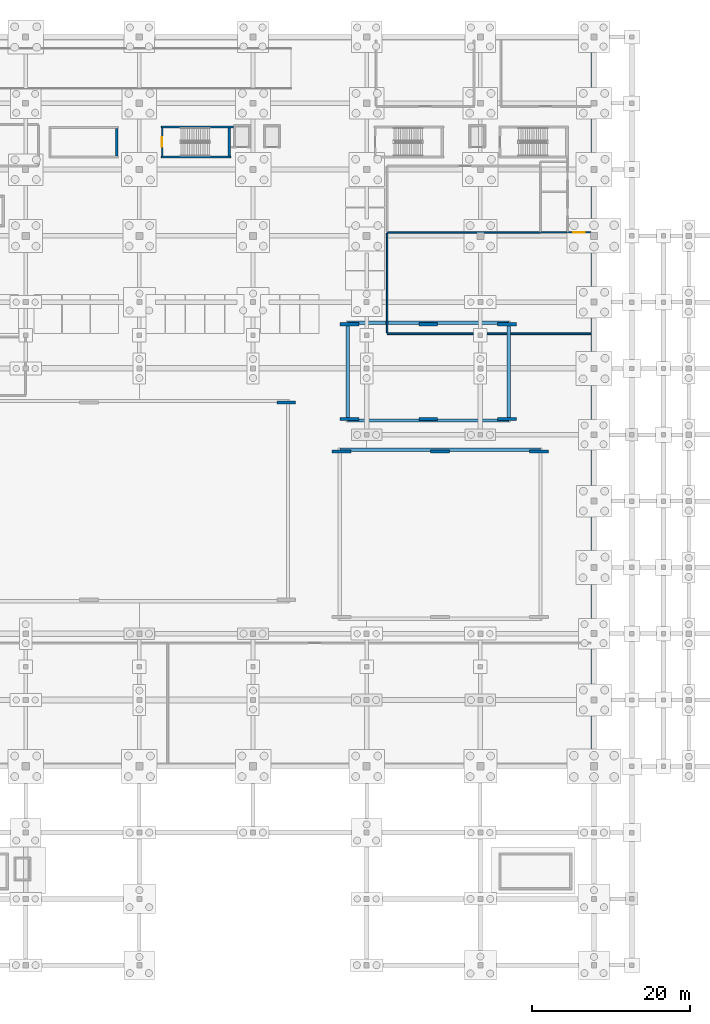
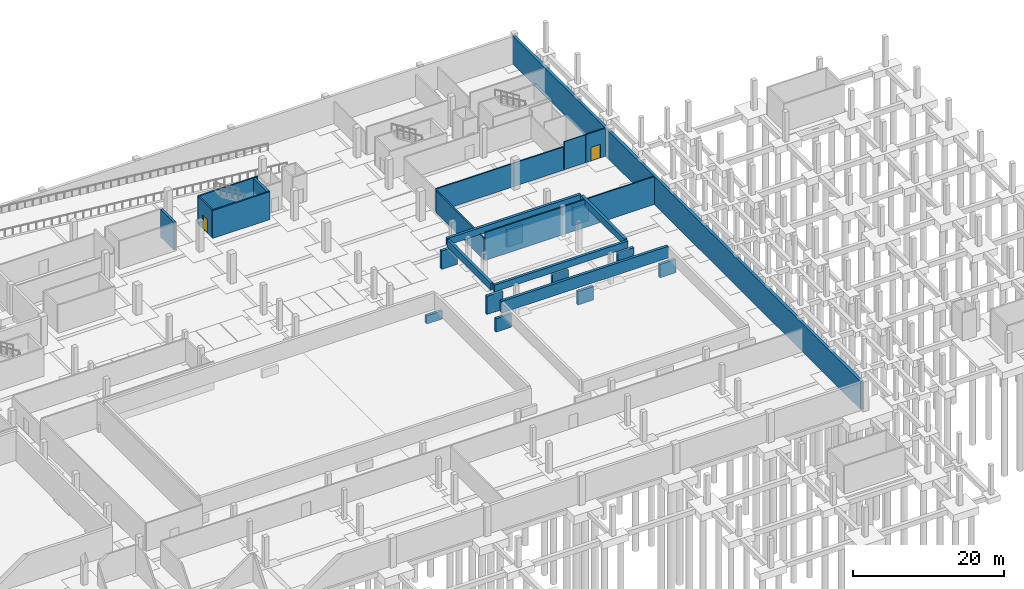
# One storey, part 16 of 26: 26 walls, 2 doors, 2 openings.
"""IFC4 building model written with IfcOpenShell, lengths in metres."""

from ifc_helpers import new_model, si_unit, direction, frame, frame_2d, origin, place, context, subcontext, project, spatial, rectangle, extrude, material, layer, layer_set, type_object, element, fill, save


model = new_model("IFC4")

# Units and contexts
model_context = context("Model", 3, precision=1e-05, world=origin(), true_north=direction((0.0, 1.0)))
body_context = subcontext(model_context, "Body", "Model", "MODEL_VIEW")
ifc_project = project(units=[si_unit("LENGTHUNIT", "METRE"), si_unit("AREAUNIT", "SQUARE_METRE"), si_unit("VOLUMEUNIT", "CUBIC_METRE"), si_unit("PLANEANGLEUNIT", "RADIAN"), si_unit("MASSUNIT", "GRAM", prefix="KILO"), si_unit("THERMODYNAMICTEMPERATUREUNIT", "KELVIN")], contexts=[model_context])

# Site, building, storey
site_placement = place(None, origin())
site = spatial("IfcSite", under=ifc_project, at=site_placement, CompositionType="ELEMENT")
building_placement = place(site_placement, origin())
building = spatial("IfcBuilding", under=site, at=building_placement, Name="Nduvali Passage Aquatics Centre", CompositionType="ELEMENT")
storey_placement = place(building_placement, frame((0.0, 0.0, -4.800048828125)))
storey = spatial("IfcBuildingStorey", under=building, at=storey_placement, Name="B01", CompositionType="ELEMENT", Elevation=-4.800048828125)

# Wall
ifc_material_1 = material(Name="Coral-stone masonry blockwork", Category="masonry")
ifc_layer_1 = layer(ifc_material_1, 0.199951171875, Name="Coral-stone masonry blockwork")
ifc_layer_set_1 = layer_set([ifc_layer_1], Name="Coral-stone masonry blockwork")
wall_type_1 = type_object("IfcWallType", Name="INT-WAL-COMP200", PredefinedType="PARTITIONING", material=ifc_layer_set_1)
wall_1_placement = place(storey_placement, frame((99.800048828125, 92.85009765625, 0.0), z_axis=(0.0, 0.0, 1.0), x_axis=(1.0, 0.0, 0.0)))
element("IfcWall", 1, at=wall_1_placement, inside=storey, type_object=wall_type_1, Name="B01 Standby Diesel Generator Room Partition 0010", PredefinedType="PARTITIONING", context=body_context, shape_type="SweptSolid", body=[
    extrude(rectangle(XDim=19.39990234375, YDim=0.199951171875, at=frame_2d((9.699951171875, 0.0))), origin(), (0.0, 0.0, 1.0), 3.75),
])

# Wall, opening, door
wall_2_placement = place(storey_placement, frame((122.574951171875, 92.85009765625, 0.0), z_axis=(0.0, 0.0, 1.0), x_axis=(1.0, 0.0, 0.0)))
wall_2 = element("IfcWall", 2, at=wall_2_placement, inside=storey, type_object=wall_type_1, Name="B01 Monsoon Rainwater Harvesting Cistern and Pump Room Partition 0028", PredefinedType="PARTITIONING", context=body_context, shape_type="SweptSolid", body=[
    extrude(rectangle(XDim=3.01513671875, YDim=0.199951171875, at=frame_2d((1.507568359375, 0.0))), origin(), (0.0, 0.0, 1.0), 4.5),
])
opening_1_placement = place(wall_2_placement, frame((0.824951171875, 0.0, 0.0)))
opening_1 = element("IfcOpeningElement", 3, at=opening_1_placement, cuts=wall_2, Name="Opening FD-P1", PredefinedType="OPENING", context=body_context, shape_type="SweptSolid", body=[
    extrude(rectangle(XDim=1.39990234375, YDim=2.199951171875, at=frame_2d((0.699951171875, 1.10009765625))), frame((0.0, 0.11474609375, 0.0), z_axis=(0.0, -1.0, 0.0), x_axis=(1.0, 0.0, 0.0)), (0.0, 0.0, 1.0), 0.229736328125),
])
ifc_material_2 = material(Name="Galvanised steel door", Category="steel")
door_type_1 = type_object("IfcDoorType", Name="INT-DR-PLNT140", OperationType="DOUBLE_DOOR_SINGLE_SWING", PredefinedType="DOOR", material=ifc_material_2)
door_1_placement = place(opening_1_placement, origin())
door_1 = element("IfcDoor", 4, at=door_1_placement, inside=storey, type_object=door_type_1, Name="B01 Monsoon Rainwater Harvesting Cistern and Pump Room Door 0010", OperationType="DOUBLE_DOOR_SINGLE_SWING", OverallHeight=2.199951171875, OverallWidth=1.39990234375, PredefinedType="DOOR", context=body_context, shape_type="SweptSolid", body=[
    extrude(rectangle(XDim=1.39990234375, YDim=2.199951171875, at=frame_2d((0.699951171875, 1.10009765625))), frame((0.0, 0.02490234375, 0.0), z_axis=(0.0, -1.0, 0.0), x_axis=(1.0, 0.0, 0.0)), (0.0, 0.0, 1.0), 0.050048828125),
])
fill(opening_1, door_1)

# Walls
wall_3_placement = place(storey_placement, frame((99.800048828125, 80.0, 0.0), z_axis=(0.0, 0.0, 1.0), x_axis=(1.0, 0.0, 0.0)))
element("IfcWall", 5, at=wall_3_placement, inside=storey, type_object=wall_type_1, Name="B01 Monsoon Rainwater Harvesting Cistern and Pump Room Partition 0029", PredefinedType="PARTITIONING", context=body_context, shape_type="SweptSolid", body=[
    extrude(rectangle(XDim=25.7900390625, YDim=0.199951171875, at=frame_2d((12.89501953125, 0.0))), origin(), (0.0, 0.0, 1.0), 4.5),
])
wall_4_placement = place(storey_placement, frame((99.800048828125, 80.10009765625, 0.0), z_axis=(0.0, 0.0, 1.0), x_axis=(0.0, 1.0, 0.0)))
element("IfcWall", 6, at=wall_4_placement, inside=storey, type_object=wall_type_1, Name="B01 Monsoon Rainwater Harvesting Cistern and Pump Room Partition 0030", PredefinedType="PARTITIONING", context=body_context, shape_type="SweptSolid", body=[
    extrude(rectangle(XDim=12.64990234375, YDim=0.199951171875, at=frame_2d((6.324951171875, 0.0))), origin(), (0.0, 0.0, 1.0), 3.530029296875),
])
ifc_material_3 = material(Name="Concrete C40/50", Category="concrete")
ifc_layer_2 = layer(ifc_material_3, 0.219970703125, Name="Concrete C40/50")
ifc_layer_set_2 = layer_set([ifc_layer_2], Name="Concrete C40/50")
wall_type_2 = type_object("IfcWallType", Name="INT-WAL-CORE220", PredefinedType="SOLIDWALL", material=ifc_layer_set_2)
wall_5_placement = place(storey_placement, frame((71.179931640625, 102.389892578125, 0.0), z_axis=(0.0, 0.0, 1.0), x_axis=(1.0, 0.0, 0.0)))
element("IfcWall", 7, at=wall_5_placement, inside=storey, type_object=wall_type_2, Name="B01 Stair ST1 Core Wall S", PredefinedType="SOLIDWALL", context=body_context, shape_type="SweptSolid", body=[
    extrude(rectangle(XDim=8.77001953125, YDim=0.219970703125, at=frame_2d((4.385009765625, 0.0))), origin(), (0.0, 0.0, 1.0), 4.5),
])
wall_6_placement = place(storey_placement, frame((80.330078125, 106.199951171875, 0.0), z_axis=(0.0, 0.0, 1.0), x_axis=(-1.0, 0.0, 0.0)))
element("IfcWall", 8, at=wall_6_placement, inside=storey, type_object=wall_type_2, Name="B01 Stair ST1 Core Wall N", PredefinedType="SOLIDWALL", context=body_context, shape_type="SweptSolid", body=[
    extrude(rectangle(XDim=9.150146484375, YDim=0.219970703125, at=frame_2d((4.5751953125, 0.0))), origin(), (0.0, 0.0, 1.0), 4.5),
])

# Wall, opening, door
wall_7_placement = place(storey_placement, frame((71.2900390625, 106.090087890625, 0.0), z_axis=(0.0, 0.0, 1.0), x_axis=(0.0, -1.0, 0.0)))
wall_7 = element("IfcWall", 9, at=wall_7_placement, inside=storey, type_object=wall_type_2, Name="B01 Stair ST1 Core Wall W", PredefinedType="SOLIDWALL", context=body_context, shape_type="SweptSolid", body=[
    extrude(rectangle(XDim=3.590087890625, YDim=0.219970703125, at=frame_2d((1.794921875, 0.0))), origin(), (0.0, 0.0, 1.0), 4.5),
])
opening_2_placement = place(wall_7_placement, frame((1.195068359375, 0.0, 0.0)))
opening_2 = element("IfcOpeningElement", 10, at=opening_2_placement, cuts=wall_7, Name="Opening FD-ST2", PredefinedType="OPENING", context=body_context, shape_type="SweptSolid", body=[
    extrude(rectangle(XDim=1.199951171875, YDim=2.199951171875, at=frame_2d((0.60009765625, 1.10009765625))), frame((0.0, 0.125, 0.0), z_axis=(0.0, -1.0, 0.0), x_axis=(1.0, 0.0, 0.0)), (0.0, 0.0, 1.0), 0.249755859375),
])
door_type_2 = type_object("IfcDoorType", Name="INT-DR-ST120", OperationType="NOTDEFINED", PredefinedType="DOOR", material=ifc_material_2)
door_2_placement = place(opening_2_placement, frame((1.199951171875, 0.0, 0.0), z_axis=(0.0, 0.0, 1.0), x_axis=(-1.0, 0.0, 0.0)))
door_2 = element("IfcDoor", 11, at=door_2_placement, inside=storey, type_object=door_type_2, Name="B01 Stair ST1 Fire Lobby Door", OperationType="SINGLE_SWING_RIGHT", OverallHeight=2.199951171875, OverallWidth=1.199951171875, PredefinedType="DOOR", context=body_context, shape_type="SweptSolid", body=[
    extrude(rectangle(XDim=1.199951171875, YDim=2.199951171875, at=frame_2d((0.60009765625, 1.10009765625))), frame((0.0, 0.02490234375, 0.0), z_axis=(0.0, -1.0, 0.0), x_axis=(1.0, 0.0, 0.0)), (0.0, 0.0, 1.0), 0.050048828125),
])
fill(opening_2, door_2)

# Walls
ifc_layer_3 = layer(ifc_material_1, 0.14990234375, Name="Coral-stone masonry blockwork")
ifc_layer_set_3 = layer_set([ifc_layer_3], Name="Coral-stone masonry blockwork")
wall_type_3 = type_object("IfcWallType", Name="INT-WAL-WET150", PredefinedType="PLUMBINGWALL", material=ifc_layer_set_3)
wall_8_placement = place(storey_placement, frame((119.300048828125, 92.85009765625, 0.0), z_axis=(0.0, 0.0, 1.0), x_axis=(1.0, 0.0, 0.0)))
element("IfcWall", 12, at=wall_8_placement, inside=storey, type_object=wall_type_3, Name="B01 Basement Staff Toilets Partition 0014", PredefinedType="PLUMBINGWALL", context=body_context, shape_type="SweptSolid", body=[
    extrude(rectangle(XDim=3.27490234375, YDim=0.14990234375, at=frame_2d((1.637451171875, 0.0))), origin(), (0.0, 0.0, 1.0), 4.5),
])
ifc_material_4 = material(Name="Waterproof concrete C40/50", Category="concrete")
ifc_layer_4 = layer(ifc_material_4, 0.419921875, Name="Waterproof concrete C40/50")
ifc_layer_set_4 = layer_set([ifc_layer_4], Name="Waterproof concrete C40/50")
wall_type_4 = type_object("IfcWallType", Name="STR-WAL-RET400", PredefinedType="USERDEFINED", material=ifc_layer_set_4)
wall_9_placement = place(storey_placement, frame((125.800048828125, 25.39990234375, 0.0), z_axis=(0.0, 0.0, 1.0), x_axis=(0.0, 1.0, 0.0)))
element("IfcWall", 13, at=wall_9_placement, inside=storey, type_object=wall_type_4, Name="B01 Waterproof Basement Retaining Wall RET-E1", ObjectType="RETAINING WALL", PredefinedType="USERDEFINED", context=body_context, shape_type="SweptSolid", body=[
    extrude(rectangle(XDim=92.0, YDim=0.419921875, at=frame_2d((46.0, 0.0))), origin(), (0.0, 0.0, 1.0), 4.5),
])
ifc_layer_5 = layer(ifc_material_3, 0.300048828125, Name="Concrete C40/50")
ifc_layer_set_5 = layer_set([ifc_layer_5], Name="Concrete C40/50")
wall_type_5 = type_object("IfcWallType", Name="STR-WAL-SHR300", PredefinedType="SHEAR", material=ifc_layer_set_5)
wall_10_placement = place(storey_placement, frame((65.550048828125, 102.5, 0.0), z_axis=(0.0, 0.0, 1.0), x_axis=(0.0, 1.0, 0.0)))
element("IfcWall", 14, at=wall_10_placement, inside=storey, type_object=wall_type_5, Name="B01 Stair ST3 Core Shear Wall E", PredefinedType="SHEAR", context=body_context, shape_type="SweptSolid", body=[
    extrude(rectangle(XDim=3.510009765625, YDim=0.300048828125, at=frame_2d((1.7548828125, 0.0))), origin(), (0.0, 0.0, 1.0), 4.5),
])
ifc_layer_6 = layer(ifc_material_3, 0.35009765625, Name="Concrete C40/50")
ifc_layer_set_6 = layer_set([ifc_layer_6], Name="Concrete C40/50")
wall_type_6 = type_object("IfcWallType", Name="STR-WAL-SHR350", PredefinedType="SHEAR", material=ifc_layer_set_6)
wall_11_placement = place(storey_placement, frame((79.77490234375, 102.5, 0.0), z_axis=(0.0, 0.0, 1.0), x_axis=(0.0, 1.0, 0.0)))
element("IfcWall", 15, at=wall_11_placement, inside=storey, type_object=wall_type_6, Name="B01 Stair ST1 Core Shear Wall E", PredefinedType="SHEAR", context=body_context, shape_type="SweptSolid", body=[
    extrude(rectangle(XDim=3.590087890625, YDim=0.35009765625, at=frame_2d((1.794921875, 0.0))), origin(), (0.0, 0.0, 1.0), 4.5),
])
ifc_layer_7 = layer(ifc_material_4, 0.39990234375, Name="Waterproof concrete C40/50")
ifc_layer_set_7 = layer_set([ifc_layer_7], Name="Waterproof concrete C40/50")
wall_type_7 = type_object("IfcWallType", Name="STR-WAL-TANK400", PredefinedType="STANDARD", material=ifc_layer_set_7)
wall_12_placement = place(storey_placement, frame((85.81005859375, 71.300048828125, 0.0), z_axis=(0.0, 0.0, 1.0), x_axis=(1.0, 0.0, 0.0)))
element("IfcWall", 16, at=wall_12_placement, inside=storey, type_object=wall_type_7, Name="Competition Pool Sub-Basin Support Wall", PredefinedType="STANDARD", context=body_context, shape_type="SweptSolid", body=[
    extrude(rectangle(XDim=2.39990234375, YDim=0.39990234375, at=frame_2d((1.199951171875, 0.0))), origin(), (0.0, 0.0, 1.0), 1.300048828125),
])
wall_13_placement = place(storey_placement, frame((119.2099609375, 65.300048828125, 2.60009765625), z_axis=(0.0, 0.0, 1.0), x_axis=(-1.0, 0.0, 0.0)))
element("IfcWall", 17, at=wall_13_placement, inside=storey, type_object=wall_type_7, Name="Training Pool Waterproof Tank Wall N", PredefinedType="STANDARD", context=body_context, shape_type="SweptSolid", body=[
    extrude(rectangle(XDim=25.419921875, YDim=0.39990234375, at=frame_2d((12.7099609375, 0.0))), origin(), (0.0, 0.0, 1.0), 1.89990234375),
])
for number, where, z_axis, x_axis, name in (
    (18, (92.7900390625, 65.10009765625, 0.0), (0.0, 0.0, 1.0), (1.0, 0.0, 0.0), "Training Pool Sub-Basin Support Wall"),
    (19, (105.300048828125, 65.10009765625, 0.0), (0.0, 0.0, 1.0), (1.0, 0.0, 0.0), "Training Pool Sub-Basin Support Wall"),
    (20, (117.81005859375, 65.10009765625, 0.0), (0.0, 0.0, 1.0), (1.0, 0.0, 0.0), "Training Pool Sub-Basin Support Wall"),
):
    element("IfcWall", number, at=place(storey_placement, frame(where, z_axis=z_axis, x_axis=x_axis)), inside=storey, type_object=wall_type_7, Name=name, PredefinedType="STANDARD", context=body_context, shape_type="SweptSolid", body=[
        extrude(rectangle(XDim=2.39990234375, YDim=0.39990234375, at=frame_2d((1.199951171875, 0.0))), origin(), (0.0, 0.0, 1.0), 2.150146484375),
    ])
wall_14_placement = place(storey_placement, frame((94.800048828125, 69.0, 3.400146484375), z_axis=(0.0, 0.0, 1.0), x_axis=(1.0, 0.0, 0.0)))
element("IfcWall", 21, at=wall_14_placement, inside=storey, type_object=wall_type_7, Name="Leisure Pool Waterproof Tank Wall S", PredefinedType="STANDARD", context=body_context, shape_type="SweptSolid", body=[
    extrude(rectangle(XDim=20.39990234375, YDim=0.39990234375, at=frame_2d((10.199951171875, 0.0))), origin(), (0.0, 0.0, 1.0), 1.099853515625),
])
wall_15_placement = place(storey_placement, frame((115.199951171875, 69.39990234375, 3.400146484375), z_axis=(0.0, 0.0, 1.0), x_axis=(0.0, 1.0, 0.0)))
element("IfcWall", 22, at=wall_15_placement, inside=storey, type_object=wall_type_7, Name="Leisure Pool Waterproof Tank Wall E", PredefinedType="STANDARD", context=body_context, shape_type="SweptSolid", body=[
    extrude(rectangle(XDim=11.60009765625, YDim=0.39990234375, at=frame_2d((5.800048828125, 0.0))), origin(), (0.0, 0.0, 1.0), 1.099853515625),
])
wall_16_placement = place(storey_placement, frame((115.199951171875, 81.39990234375, 3.400146484375), z_axis=(0.0, 0.0, 1.0), x_axis=(-1.0, 0.0, 0.0)))
element("IfcWall", 23, at=wall_16_placement, inside=storey, type_object=wall_type_7, Name="Leisure Pool Waterproof Tank Wall N", PredefinedType="STANDARD", context=body_context, shape_type="SweptSolid", body=[
    extrude(rectangle(XDim=20.39990234375, YDim=0.39990234375, at=frame_2d((10.199951171875, 0.0))), origin(), (0.0, 0.0, 1.0), 1.099853515625),
])
wall_17_placement = place(storey_placement, frame((94.800048828125, 81.0, 3.400146484375), z_axis=(0.0, 0.0, 1.0), x_axis=(0.0, -1.0, 0.0)))
element("IfcWall", 24, at=wall_17_placement, inside=storey, type_object=wall_type_7, Name="Leisure Pool Waterproof Tank Wall W", PredefinedType="STANDARD", context=body_context, shape_type="SweptSolid", body=[
    extrude(rectangle(XDim=11.60009765625, YDim=0.39990234375, at=frame_2d((5.800048828125, 0.0))), origin(), (0.0, 0.0, 1.0), 1.099853515625),
])
for number, where, z_axis, x_axis, name in (
    (25, (93.800048828125, 69.199951171875, 0.0), (0.0, 0.0, 1.0), (1.0, 0.0, 0.0), "Leisure Pool Sub-Basin Support Wall"),
    (26, (93.800048828125, 81.199951171875, 0.0), (0.0, 0.0, 1.0), (1.0, 0.0, 0.0), "Leisure Pool Sub-Basin Support Wall"),
    (27, (103.800048828125, 69.199951171875, 0.0), (0.0, 0.0, 1.0), (1.0, 0.0, 0.0), "Leisure Pool Sub-Basin Support Wall"),
    (28, (103.800048828125, 81.199951171875, 0.0), (0.0, 0.0, 1.0), (1.0, 0.0, 0.0), "Leisure Pool Sub-Basin Support Wall"),
    (29, (113.800048828125, 69.199951171875, 0.0), (0.0, 0.0, 1.0), (1.0, 0.0, 0.0), "Leisure Pool Sub-Basin Support Wall"),
    (30, (113.800048828125, 81.199951171875, 0.0), (0.0, 0.0, 1.0), (1.0, 0.0, 0.0), "Leisure Pool Sub-Basin Support Wall"),
):
    element("IfcWall", number, at=place(storey_placement, frame(where, z_axis=z_axis, x_axis=x_axis)), inside=storey, type_object=wall_type_7, Name=name, PredefinedType="STANDARD", context=body_context, shape_type="SweptSolid", body=[
        extrude(rectangle(XDim=2.39990234375, YDim=0.39990234375, at=frame_2d((1.199951171875, 0.0))), origin(), (0.0, 0.0, 1.0), 2.949951171875),
    ])

save(model, "model.ifc")
